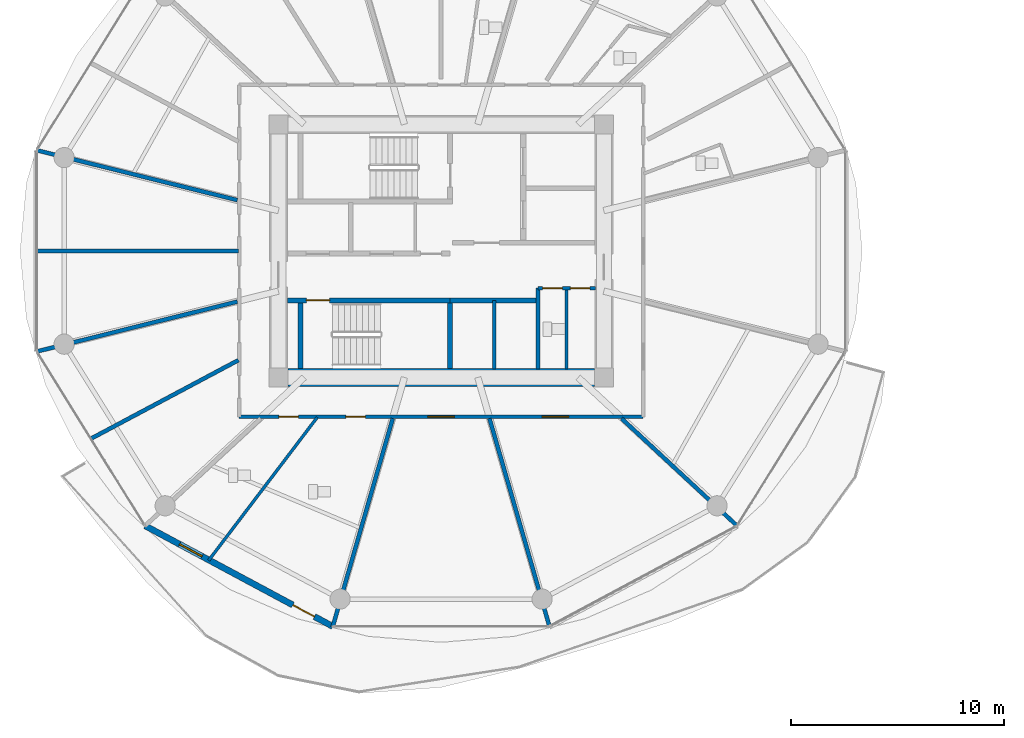
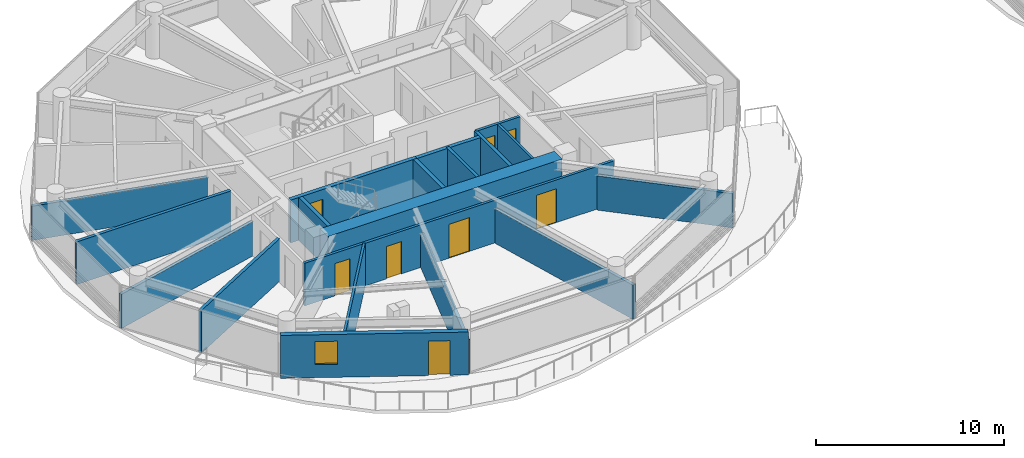
# One storey, part 15 of 27: 19 walls, 8 doors, 1 window, 9 openings.
"""IFC4 building model written with IfcOpenShell, lengths in metres."""

from ifc_helpers import new_model, si_unit, direction, frame, frame_2d, origin, place, context, subcontext, project, spatial, rectangle, extrude, source, transform, mapped, material, layer, layer_set, type_object, type_shapes, element, fill, save


model = new_model("IFC4")

# Units and contexts
model_context = context("Model", 3, precision=1e-05, world=origin(), true_north=direction((0.0, 1.0)))
body_context = subcontext(model_context, "Body", "Model", "MODEL_VIEW")
ifc_project = project(units=[si_unit("LENGTHUNIT", "METRE"), si_unit("AREAUNIT", "SQUARE_METRE"), si_unit("VOLUMEUNIT", "CUBIC_METRE"), si_unit("PLANEANGLEUNIT", "RADIAN"), si_unit("MASSUNIT", "GRAM", prefix="KILO")], contexts=[model_context])

# Site, building, storey
site_placement = place(None, origin())
site = spatial("IfcSite", under=ifc_project, at=site_placement, CompositionType="ELEMENT")
building_placement = place(site_placement, origin())
building = spatial("IfcBuilding", under=site, at=building_placement, Name="Norrkilde Senior Care Towers", CompositionType="ELEMENT")
storey_placement = place(building_placement, frame((0.0, 0.0, 52.10009765625)))
storey = spatial("IfcBuildingStorey", under=building, at=storey_placement, Name="L15", CompositionType="ELEMENT", Elevation=52.10009765625)

# Wall
ifc_material_1 = material(Name="Concrete C60/75", Category="concrete")
ifc_layer_1 = layer(ifc_material_1, 0.85009765625)
ifc_layer_set_1 = layer_set([ifc_layer_1], Name="Concrete C60/75")
wall_type_1 = type_object("IfcWallType", Name="Core Shear Wall Z1 850", PredefinedType="SHEAR", material=ifc_layer_set_1)
shared_shape_1 = source(origin(), body_context, "Body", "SweptSolid", [
    extrude(rectangle(XDim=14.39990234375, YDim=0.85009765625, at=frame_2d((7.199951171875, 0.0))), origin(), (0.0, 0.0, 1.0), 2.789794921875),
])
type_shapes(wall_type_1, [shared_shape_1])
wall_1_placement = place(storey_placement, frame((-20.800048828125, -5.949951171875, 0.0), z_axis=(0.0, 0.0, 1.0), x_axis=(-1.0, 0.0, 0.0)))
element("IfcWall", 1, at=wall_1_placement, inside=storey, type_object=wall_type_1, Name="L15 Core W South Shear Wall", PredefinedType="SHEAR", context=body_context, shape_type="MappedRepresentation", body=[
    mapped(shared_shape_1, transform((0.0, 0.0, 0.0), x_axis=(1.0, 0.0, 0.0), y_axis=(0.0, 1.0, 0.0), z_axis=(0.0, 0.0, 1.0), scale=1.0)),
])

# Wall, openings, door, window
ifc_material_2 = material(Name="Precast concrete C45/55", Category="concrete")
ifc_layer_2 = layer(ifc_material_2, 0.2900390625)
ifc_layer_set_2 = layer_set([ifc_layer_2], Name="Precast concrete C45/55")
wall_type_2 = type_object("IfcWallType", Name="Winter Garden Facade Wall 290", PredefinedType="SOLIDWALL", material=ifc_layer_set_2)
shared_shape_2 = source(origin(), body_context, "Body", "SweptSolid", [
    extrude(rectangle(XDim=10.0107421875, YDim=0.2900390625, at=frame_2d((5.00537109375, 0.0))), origin(), (0.0, 0.0, 1.0), 2.789794921875),
])
type_shapes(wall_type_2, [shared_shape_2])
wall_2_placement = place(storey_placement, frame((-33.093505859375, -17.6572265625, 0.0), z_axis=(0.0, 0.0, 1.0), x_axis=(-0.881272505317, 0.472608475773, 0.0)))
wall_2 = element("IfcWall", 2, at=wall_2_placement, inside=storey, type_object=wall_type_2, Name="L15 Drum W Balcony Access Wall 07", PredefinedType="SOLIDWALL", context=body_context, shape_type="MappedRepresentation", body=[
    mapped(shared_shape_2, transform((0.0, 0.0, 0.0), x_axis=(1.0, 0.0, 0.0), y_axis=(0.0, 1.0, 0.0), z_axis=(0.0, 0.0, 1.0), scale=1.0)),
])
opening_1_placement = place(wall_2_placement, frame((0.97998046875, 0.0, 0.0)))
opening_1 = element("IfcOpeningElement", 3, at=opening_1_placement, cuts=wall_2, Name="Opening D-09", PredefinedType="OPENING", context=body_context, shape_type="SweptSolid", body=[
    extrude(rectangle(XDim=1.14990234375, YDim=2.25, at=frame_2d((0.574951171875, 1.125))), frame((0.0, 0.155029296875, 0.0), z_axis=(0.0, -1.0, 0.0), x_axis=(1.0, 0.0, 0.0)), (0.0, 0.0, 1.0), 0.31005859375),
])
opening_2_placement = place(wall_2_placement, frame((6.975341796875, 0.0, 0.85009765625)))
opening_2 = element("IfcOpeningElement", 4, at=opening_2_placement, cuts=wall_2, Name="Opening WN-07", PredefinedType="OPENING", context=body_context, shape_type="SweptSolid", body=[
    extrude(rectangle(XDim=1.199951171875, YDim=1.5, at=frame_2d((0.60009765625, 0.75))), frame((0.0, 0.155029296875, 0.0), z_axis=(0.0, -1.0, 0.0), x_axis=(1.0, 0.0, 0.0)), (0.0, 0.0, 1.0), 0.31005859375),
])
ifc_material_3 = material(Name="Anodised Aluminium", Category="aluminium")
door_type_1 = type_object("IfcDoorType", Name="Terrace and Balcony Glazed Door 1150x2250", OperationType="NOTDEFINED", PredefinedType="DOOR", material=ifc_material_3)
shared_shape_3 = source(origin(), body_context, "Body", "SweptSolid", [
    extrude(rectangle(XDim=1.14990234375, YDim=2.25, at=frame_2d((0.574951171875, 1.125))), frame((0.0, 0.02490234375, 0.0), z_axis=(0.0, -1.0, 0.0), x_axis=(1.0, 0.0, 0.0)), (0.0, 0.0, 1.0), 0.050048828125),
])
type_shapes(door_type_1, [shared_shape_3])
door_1_placement = place(opening_1_placement, origin())
door_1 = element("IfcDoor", 5, at=door_1_placement, inside=storey, type_object=door_type_1, Name="L15 Drum W Outdoor Terrace Door 07", OperationType="SINGLE_SWING_RIGHT", OverallHeight=2.25, OverallWidth=1.14990234375, PredefinedType="DOOR", context=body_context, shape_type="MappedRepresentation", body=[
    mapped(shared_shape_3, transform((0.0, 0.0, 0.0), x_axis=(1.0, 0.0, 0.0), y_axis=(0.0, 1.0, 0.0), z_axis=(0.0, 0.0, 1.0), scale=1.0)),
])
fill(opening_1, door_1)
ifc_material_4 = material(Name="Triple Low-E Insulated Glazing", Category="glass")
window_type = type_object("IfcWindowType", Name="Stairwell Smoke Vent Window 1200x1500", PartitioningType="SINGLE_PANEL", PredefinedType="WINDOW", material=ifc_material_4)
shared_shape_4 = source(origin(), body_context, "Body", "SweptSolid", [
    extrude(rectangle(XDim=1.199951171875, YDim=1.5, at=frame_2d((0.60009765625, 0.75))), frame((0.0, 0.030029296875, 0.0), z_axis=(0.0, -1.0, 0.0), x_axis=(1.0, 0.0, 0.0)), (0.0, 0.0, 1.0), 0.06005859375),
])
type_shapes(window_type, [shared_shape_4])
window_placement = place(opening_2_placement, origin())
window = element("IfcWindow", 6, at=window_placement, inside=storey, type_object=window_type, Name="L15 Drum W Winter Garden Window 07", OverallHeight=1.5, OverallWidth=1.199951171875, PartitioningType="SINGLE_PANEL", PredefinedType="WINDOW", context=body_context, shape_type="MappedRepresentation", body=[
    mapped(shared_shape_4, transform((0.0, 0.0, 0.0), x_axis=(1.0, 0.0, 0.0), y_axis=(0.0, 1.0, 0.0), z_axis=(0.0, 0.0, 1.0), scale=1.0)),
])
fill(opening_2, window)

# Wall, opening, door
ifc_material_5 = material(Name="Concrete C45/55", Category="concrete")
ifc_layer_3 = layer(ifc_material_5, 0.239990234375)
ifc_layer_set_3 = layer_set([ifc_layer_3], Name="Concrete C45/55")
wall_type_3 = type_object("IfcWallType", Name="Shaft and Stair Enclosure Wall 240", PredefinedType="PARTITIONING", material=ifc_layer_set_3)
shared_shape_5 = source(origin(), body_context, "Body", "SweptSolid", [
    extrude(rectangle(XDim=7.76513671875, YDim=0.239990234375, at=frame_2d((3.882568359375, 0.0))), origin(), (0.0, 0.0, 1.0), 2.789794921875),
])
wall_3_placement = place(storey_placement, frame((-35.22509765625, -2.330078125, 0.0), z_axis=(0.0, 0.0, 1.0), x_axis=(1.0, 0.0, 0.0)))
wall_3 = element("IfcWall", 7, at=wall_3_placement, inside=storey, type_object=wall_type_3, Name="WL-INT-L15-W-ST2N", PredefinedType="PARTITIONING", context=body_context, shape_type="MappedRepresentation", body=[
    mapped(shared_shape_5, transform((0.0, 0.0, 0.0), x_axis=(1.0, 0.0, 0.0), y_axis=(0.0, 1.0, 0.0), z_axis=(0.0, 0.0, 1.0), scale=1.0)),
])
opening_3_placement = place(wall_3_placement, frame((0.885009765625, 0.0, 0.0)))
opening_3 = element("IfcOpeningElement", 8, at=opening_3_placement, cuts=wall_3, Name="Opening D-03", PredefinedType="OPENING", context=body_context, shape_type="SweptSolid", body=[
    extrude(rectangle(XDim=1.10009765625, YDim=2.14990234375, at=frame_2d((0.550048828125, 1.074951171875))), frame((0.0, 0.1298828125, 0.0), z_axis=(0.0, -1.0, 0.0), x_axis=(1.0, 0.0, 0.0)), (0.0, 0.0, 1.0), 0.260009765625),
])
ifc_material_6 = material(Name="Galvanised Painted Steel", Category="steel")
door_type_2 = type_object("IfcDoorType", Name="Stairwell Protected Fire Door 1100x2150", OperationType="NOTDEFINED", PredefinedType="DOOR", material=ifc_material_6)
shared_shape_6 = source(origin(), body_context, "Body", "SweptSolid", [
    extrude(rectangle(XDim=1.10009765625, YDim=2.14990234375, at=frame_2d((0.550048828125, 1.074951171875))), frame((0.0, 0.02490234375, 0.0), z_axis=(0.0, -1.0, 0.0), x_axis=(1.0, 0.0, 0.0)), (0.0, 0.0, 1.0), 0.050048828125),
])
type_shapes(door_type_2, [shared_shape_6])
door_2_placement = place(opening_3_placement, frame((1.10009765625, 0.0, 0.0), z_axis=(0.0, 0.0, 1.0), x_axis=(-1.0, 0.0, 0.0)))
door_2 = element("IfcDoor", 9, at=door_2_placement, inside=storey, type_object=door_type_2, Name="L15 Stair W2 Fire Door", OperationType="SINGLE_SWING_RIGHT", OverallHeight=2.14990234375, OverallWidth=1.10009765625, PredefinedType="DOOR", context=body_context, shape_type="MappedRepresentation", body=[
    mapped(shared_shape_6, transform((0.0, 0.0, 0.0), x_axis=(1.0, 0.0, 0.0), y_axis=(0.0, 1.0, 0.0), z_axis=(0.0, 0.0, 1.0), scale=1.0)),
])
fill(opening_3, door_2)

# Walls
shared_shape_7 = source(origin(), body_context, "Body", "SweptSolid", [
    extrude(rectangle(XDim=3.074951171875, YDim=0.239990234375, at=frame_2d((1.53759765625, 0.0))), origin(), (0.0, 0.0, 1.0), 2.789794921875),
])
type_shapes(wall_type_3, [shared_shape_5, shared_shape_7])
for number, where, z_axis, x_axis, name in (
    (10, (-34.6201171875, -5.52490234375, 0.0), (0.0, 0.0, 1.0), (0.0, 1.0, 0.0), "WL-INT-L15-W-ST2W"),
    (11, (-27.580078125, -5.52490234375, 0.0), (0.0, 0.0, 1.0), (0.0, 1.0, 0.0), "WL-INT-L15-W-ST2E"),
):
    element("IfcWall", number, at=place(storey_placement, frame(where, z_axis=z_axis, x_axis=x_axis)), inside=storey, type_object=wall_type_3, Name=name, PredefinedType="PARTITIONING", context=body_context, shape_type="MappedRepresentation", body=[
        mapped(shared_shape_7, transform((0.0, 0.0, 0.0), x_axis=(1.0, 0.0, 0.0), y_axis=(0.0, 1.0, 0.0), z_axis=(0.0, 0.0, 1.0), scale=1.0)),
    ])
ifc_layer_4 = layer(ifc_material_5, 0.199951171875)
ifc_layer_set_4 = layer_set([ifc_layer_4], Name="Concrete C45/55")
wall_type_4 = type_object("IfcWallType", Name="Shaft Division and Plant Partition 200", PredefinedType="PARTITIONING", material=ifc_layer_set_4)
shared_shape_8 = source(origin(), body_context, "Body", "SweptSolid", [
    extrude(rectangle(XDim=3.800048828125, YDim=0.199951171875, at=frame_2d((1.89990234375, 0.0))), origin(), (0.0, 0.0, 1.0), 2.77490234375),
])
type_shapes(wall_type_4, [shared_shape_8])
wall_4_placement = place(storey_placement, frame((-23.449951171875, -5.550048828125, 0.0), z_axis=(0.0, 0.0, 1.0), x_axis=(0.0, 1.0, 0.0)))
element("IfcWall", 12, at=wall_4_placement, inside=storey, type_object=wall_type_4, Name="WL-INT-L15-W-PKBE", PredefinedType="PARTITIONING", context=body_context, shape_type="MappedRepresentation", body=[
    mapped(shared_shape_8, transform((0.0, 0.0, 0.0), x_axis=(1.0, 0.0, 0.0), y_axis=(0.0, 1.0, 0.0), z_axis=(0.0, 0.0, 1.0), scale=1.0)),
])
ifc_layer_5 = layer(ifc_material_5, 0.239990234375)
ifc_layer_set_5 = layer_set([ifc_layer_5], Name="Concrete C45/55")
wall_type_5 = type_object("IfcWallType", Name="Lift and Plant Rated Enclosure Partition 240", PredefinedType="PARTITIONING", material=ifc_layer_set_5)
shared_shape_9 = source(origin(), body_context, "Body", "SweptSolid", [
    extrude(rectangle(XDim=4.130126953125, YDim=0.239990234375, at=frame_2d((2.06494140625, 0.0))), origin(), (0.0, 0.0, 1.0), 2.77490234375),
])
type_shapes(wall_type_5, [shared_shape_9])
wall_5_placement = place(storey_placement, frame((-27.580078125, -2.330078125, 0.0), z_axis=(0.0, 0.0, 1.0), x_axis=(1.0, 0.0, 0.0)))
element("IfcWall", 13, at=wall_5_placement, inside=storey, type_object=wall_type_5, Name="WL-INT-L15-W-PKBN", PredefinedType="PARTITIONING", context=body_context, shape_type="MappedRepresentation", body=[
    mapped(shared_shape_9, transform((0.0, 0.0, 0.0), x_axis=(1.0, 0.0, 0.0), y_axis=(0.0, 1.0, 0.0), z_axis=(0.0, 0.0, 1.0), scale=1.0)),
])
ifc_layer_6 = layer(ifc_material_5, 0.179931640625)
ifc_layer_set_6 = layer_set([ifc_layer_6], Name="Concrete C45/55")
wall_type_6 = type_object("IfcWallType", Name="Hoistway Division Rated Partition 180", PredefinedType="PARTITIONING", material=ifc_layer_set_6)
shared_shape_10 = source(origin(), body_context, "Body", "SweptSolid", [
    extrude(rectangle(XDim=3.219970703125, YDim=0.179931640625, at=frame_2d((1.60986328125, 0.0))), origin(), (0.0, 0.0, 1.0), 2.77490234375),
])
type_shapes(wall_type_6, [shared_shape_10])
wall_6_placement = place(storey_placement, frame((-25.5, -5.550048828125, 0.0), z_axis=(0.0, 0.0, 1.0), x_axis=(0.0, 1.0, 0.0)))
element("IfcWall", 14, at=wall_6_placement, inside=storey, type_object=wall_type_6, Name="WL-INT-L15-W-PL34", PredefinedType="PARTITIONING", context=body_context, shape_type="MappedRepresentation", body=[
    mapped(shared_shape_10, transform((0.0, 0.0, 0.0), x_axis=(1.0, 0.0, 0.0), y_axis=(0.0, 1.0, 0.0), z_axis=(0.0, 0.0, 1.0), scale=1.0)),
])

# Wall, openings, doors
ifc_material_7 = material(Name="Gypsum Acoustic Board")
ifc_layer_7 = layer(ifc_material_7, 0.1650390625)
ifc_layer_set_7 = layer_set([ifc_layer_7], Name="Gypsum Acoustic Board")
wall_type_7 = type_object("IfcWallType", Name="Corridor Rated Partition 165", PredefinedType="PARTITIONING", material=ifc_layer_set_7)
shared_shape_11 = source(origin(), body_context, "Body", "SweptSolid", [
    extrude(rectangle(XDim=2.699951171875, YDim=0.1650390625, at=frame_2d((1.35009765625, 0.0))), origin(), (0.0, 0.0, 1.0), 2.77490234375),
])
wall_7_placement = place(storey_placement, frame((-23.449951171875, -1.75, 0.0), z_axis=(0.0, 0.0, 1.0), x_axis=(1.0, 0.0, 0.0)))
wall_7 = element("IfcWall", 15, at=wall_7_placement, inside=storey, type_object=wall_type_7, Name="WL-INT-L15-W-CSN", PredefinedType="PARTITIONING", context=body_context, shape_type="MappedRepresentation", body=[
    mapped(shared_shape_11, transform((0.0, 0.0, 0.0), x_axis=(1.0, 0.0, 0.0), y_axis=(0.0, 1.0, 0.0), z_axis=(0.0, 0.0, 1.0), scale=1.0)),
])
opening_4_placement = place(wall_7_placement, frame((0.222412109375, 0.0, 0.0)))
opening_4 = element("IfcOpeningElement", 16, at=opening_4_placement, cuts=wall_7, Name="Opening D-12", PredefinedType="OPENING", context=body_context, shape_type="SweptSolid", body=[
    extrude(rectangle(XDim=0.925048828125, YDim=2.10009765625, at=frame_2d((0.46240234375, 1.050048828125))), frame((0.0, 0.092529296875, 0.0), z_axis=(0.0, -1.0, 0.0), x_axis=(1.0, 0.0, 0.0)), (0.0, 0.0, 1.0), 0.18505859375),
])
opening_5_placement = place(wall_7_placement, frame((1.5224609375, 0.0, 0.0)))
opening_5 = element("IfcOpeningElement", 17, at=opening_5_placement, cuts=wall_7, Name="Opening D-12", PredefinedType="OPENING", context=body_context, shape_type="SweptSolid", body=[
    extrude(rectangle(XDim=0.925048828125, YDim=2.10009765625, at=frame_2d((0.46240234375, 1.050048828125))), frame((0.0, 0.092529296875, 0.0), z_axis=(0.0, -1.0, 0.0), x_axis=(1.0, 0.0, 0.0)), (0.0, 0.0, 1.0), 0.18505859375),
])
door_type_3 = type_object("IfcDoorType", Name="Core Wet Room Rated Door 925x2100", OperationType="NOTDEFINED", PredefinedType="DOOR", material=ifc_material_6)
shared_shape_12 = source(origin(), body_context, "Body", "SweptSolid", [
    extrude(rectangle(XDim=0.925048828125, YDim=2.10009765625, at=frame_2d((0.46240234375, 1.050048828125))), frame((0.0, 0.02490234375, 0.0), z_axis=(0.0, -1.0, 0.0), x_axis=(1.0, 0.0, 0.0)), (0.0, 0.0, 1.0), 0.050048828125),
])
type_shapes(door_type_3, [shared_shape_12])
door_3_placement = place(opening_4_placement, origin())
door_3 = element("IfcDoor", 18, at=door_3_placement, inside=storey, type_object=door_type_3, Name="L15 Staff Accessible WC W Door", OperationType="SINGLE_SWING_LEFT", OverallHeight=2.10009765625, OverallWidth=0.925048828125, PredefinedType="DOOR", context=body_context, shape_type="MappedRepresentation", body=[
    mapped(shared_shape_12, transform((0.0, 0.0, 0.0), x_axis=(1.0, 0.0, 0.0), y_axis=(0.0, 1.0, 0.0), z_axis=(0.0, 0.0, 1.0), scale=1.0)),
])
fill(opening_4, door_3)
door_4_placement = place(opening_5_placement, origin())
door_4 = element("IfcDoor", 19, at=door_4_placement, inside=storey, type_object=door_type_3, Name="L15 Housekeeping Store W Door", OperationType="SINGLE_SWING_RIGHT", OverallHeight=2.10009765625, OverallWidth=0.925048828125, PredefinedType="DOOR", context=body_context, shape_type="MappedRepresentation", body=[
    mapped(shared_shape_12, transform((0.0, 0.0, 0.0), x_axis=(1.0, 0.0, 0.0), y_axis=(0.0, 1.0, 0.0), z_axis=(0.0, 0.0, 1.0), scale=1.0)),
])
fill(opening_5, door_4)

shared_shape_13 = source(origin(), body_context, "Body", "SweptSolid", [
    extrude(rectangle(XDim=19.0, YDim=0.1650390625, at=frame_2d((9.5, 0.0))), origin(), (0.0, 0.0, 1.0), 2.77490234375),
])
type_shapes(wall_type_7, [shared_shape_11, shared_shape_13])
wall_8_placement = place(storey_placement, frame((-18.5, -7.800048828125, 0.0), z_axis=(0.0, 0.0, 1.0), x_axis=(-1.0, 0.0, 0.0)))
wall_8 = element("IfcWall", 20, at=wall_8_placement, inside=storey, type_object=wall_type_7, Name="WL-INT-L15-W-CRW-S-0", PredefinedType="PARTITIONING", context=body_context, shape_type="MappedRepresentation", body=[
    mapped(shared_shape_13, transform((0.0, 0.0, 0.0), x_axis=(1.0, 0.0, 0.0), y_axis=(0.0, 1.0, 0.0), z_axis=(0.0, 0.0, 1.0), scale=1.0)),
])
opening_6_placement = place(wall_8_placement, frame((16.213623046875, 0.0, 0.0)))
opening_6 = element("IfcOpeningElement", 21, at=opening_6_placement, cuts=wall_8, Name="Opening D-08", PredefinedType="OPENING", context=body_context, shape_type="SweptSolid", body=[
    extrude(rectangle(XDim=0.919921875, YDim=2.10009765625, at=frame_2d((0.4599609375, 1.050048828125))), frame((0.0, 0.092529296875, 0.0), z_axis=(0.0, -1.0, 0.0), x_axis=(1.0, 0.0, 0.0)), (0.0, 0.0, 1.0), 0.18505859375),
])
opening_7_placement = place(wall_8_placement, frame((13.062744140625, 0.0, 0.0)))
opening_7 = element("IfcOpeningElement", 22, at=opening_7_placement, cuts=wall_8, Name="Opening D-08", PredefinedType="OPENING", context=body_context, shape_type="SweptSolid", body=[
    extrude(rectangle(XDim=0.919921875, YDim=2.10009765625, at=frame_2d((0.4599609375, 1.050048828125))), frame((0.0, 0.092529296875, 0.0), z_axis=(0.0, -1.0, 0.0), x_axis=(1.0, 0.0, 0.0)), (0.0, 0.0, 1.0), 0.18505859375),
])
opening_8_placement = place(wall_8_placement, frame((8.875, 0.0, 0.0)))
opening_8 = element("IfcOpeningElement", 23, at=opening_8_placement, cuts=wall_8, Name="Opening D-05", PredefinedType="OPENING", context=body_context, shape_type="SweptSolid", body=[
    extrude(rectangle(XDim=1.25, YDim=2.199951171875, at=frame_2d((0.625, 1.10009765625))), frame((0.0, 0.092529296875, 0.0), z_axis=(0.0, -1.0, 0.0), x_axis=(1.0, 0.0, 0.0)), (0.0, 0.0, 1.0), 0.18505859375),
])
opening_9_placement = place(wall_8_placement, frame((3.505615234375, 0.0, 0.0)))
opening_9 = element("IfcOpeningElement", 24, at=opening_9_placement, cuts=wall_8, Name="Opening D-05", PredefinedType="OPENING", context=body_context, shape_type="SweptSolid", body=[
    extrude(rectangle(XDim=1.25, YDim=2.199951171875, at=frame_2d((0.625, 1.10009765625))), frame((0.0, 0.092529296875, 0.0), z_axis=(0.0, -1.0, 0.0), x_axis=(1.0, 0.0, 0.0)), (0.0, 0.0, 1.0), 0.18505859375),
])
ifc_material_8 = material(Name="Nordic Ash Timber", Category="wood")
door_type_4 = type_object("IfcDoorType", Name="Care Bedroom Bariatric Door 1250x2200", OperationType="NOTDEFINED", PredefinedType="DOOR", material=ifc_material_8)
shared_shape_14 = source(origin(), body_context, "Body", "SweptSolid", [
    extrude(rectangle(XDim=1.25, YDim=2.199951171875, at=frame_2d((0.625, 1.10009765625))), frame((0.0, 0.02490234375, 0.0), z_axis=(0.0, -1.0, 0.0), x_axis=(1.0, 0.0, 0.0)), (0.0, 0.0, 1.0), 0.050048828125),
])
type_shapes(door_type_4, [shared_shape_14])
door_5_placement = place(opening_8_placement, frame((1.25, 0.0, 0.0), z_axis=(0.0, 0.0, 1.0), x_axis=(-1.0, 0.0, 0.0)))
door_5 = element("IfcDoor", 25, at=door_5_placement, inside=storey, type_object=door_type_4, Name="L15 Household Communal Dining Salon Door", OperationType="SINGLE_SWING_LEFT", OverallHeight=2.199951171875, OverallWidth=1.25, PredefinedType="DOOR", context=body_context, shape_type="MappedRepresentation", body=[
    mapped(shared_shape_14, transform((0.0, 0.0, 0.0), x_axis=(1.0, 0.0, 0.0), y_axis=(0.0, 1.0, 0.0), z_axis=(0.0, 0.0, 1.0), scale=1.0)),
])
fill(opening_8, door_5)
door_6_placement = place(opening_9_placement, frame((1.25, 0.0, 0.0), z_axis=(0.0, 0.0, 1.0), x_axis=(-1.0, 0.0, 0.0)))
door_6 = element("IfcDoor", 26, at=door_6_placement, inside=storey, type_object=door_type_4, Name="L15 Care Coordination Charting Office Door", OperationType="SINGLE_SWING_RIGHT", OverallHeight=2.199951171875, OverallWidth=1.25, PredefinedType="DOOR", context=body_context, shape_type="MappedRepresentation", body=[
    mapped(shared_shape_14, transform((0.0, 0.0, 0.0), x_axis=(1.0, 0.0, 0.0), y_axis=(0.0, 1.0, 0.0), z_axis=(0.0, 0.0, 1.0), scale=1.0)),
])
fill(opening_9, door_6)
door_type_5 = type_object("IfcDoorType", Name="Accessible Wet Room Door 920x2100", OperationType="NOTDEFINED", PredefinedType="DOOR", material=ifc_material_8)
shared_shape_15 = source(origin(), body_context, "Body", "SweptSolid", [
    extrude(rectangle(XDim=0.919921875, YDim=2.10009765625, at=frame_2d((0.4599609375, 1.050048828125))), frame((0.0, 0.02490234375, 0.0), z_axis=(0.0, -1.0, 0.0), x_axis=(1.0, 0.0, 0.0)), (0.0, 0.0, 1.0), 0.050048828125),
])
type_shapes(door_type_5, [shared_shape_15])
door_7_placement = place(opening_6_placement, frame((0.919921875, 0.0, 0.0), z_axis=(0.0, 0.0, 1.0), x_axis=(-1.0, 0.0, 0.0)))
door_7 = element("IfcDoor", 27, at=door_7_placement, inside=storey, type_object=door_type_5, Name="L15 Accessible Restroom Door", OperationType="SINGLE_SWING_RIGHT", OverallHeight=2.10009765625, OverallWidth=0.919921875, PredefinedType="DOOR", context=body_context, shape_type="MappedRepresentation", body=[
    mapped(shared_shape_15, transform((0.0, 0.0, 0.0), x_axis=(1.0, 0.0, 0.0), y_axis=(0.0, 1.0, 0.0), z_axis=(0.0, 0.0, 1.0), scale=1.0)),
])
fill(opening_6, door_7)
door_8_placement = place(opening_7_placement, frame((0.919921875, 0.0, 0.0), z_axis=(0.0, 0.0, 1.0), x_axis=(-1.0, 0.0, 0.0)))
door_8 = element("IfcDoor", 28, at=door_8_placement, inside=storey, type_object=door_type_5, Name="L15 Public Restroom Door", OperationType="SINGLE_SWING_LEFT", OverallHeight=2.10009765625, OverallWidth=0.919921875, PredefinedType="DOOR", context=body_context, shape_type="MappedRepresentation", body=[
    mapped(shared_shape_15, transform((0.0, 0.0, 0.0), x_axis=(1.0, 0.0, 0.0), y_axis=(0.0, 1.0, 0.0), z_axis=(0.0, 0.0, 1.0), scale=1.0)),
])
fill(opening_7, door_8)

# Walls
ifc_layer_8 = layer(ifc_material_7, 0.18994140625)
ifc_layer_set_8 = layer_set([ifc_layer_8], Name="Gypsum Acoustic Board")
wall_type_8 = type_object("IfcWallType", Name="Unit Demising Acoustic Wall 190", PredefinedType="PARTITIONING", material=ifc_layer_set_8)
shared_shape_16 = source(origin(), body_context, "Body", "SweptSolid", [
    extrude(rectangle(XDim=7.4345703125, YDim=0.18994140625, at=frame_2d((3.71728515625, 0.0))), origin(), (0.0, 0.0, 1.0), 2.224853515625),
])
wall_9_placement = place(storey_placement, frame((-19.51708984375, -7.8798828125, 0.0), z_axis=(0.0, 0.0, 1.0), x_axis=(0.732651956848, -0.680603489652, 0.0)))
element("IfcWall", 29, at=wall_9_placement, inside=storey, type_object=wall_type_8, Name="WL-INT-L15-W-DEM-10-0", PredefinedType="PARTITIONING", context=body_context, shape_type="MappedRepresentation", body=[
    mapped(shared_shape_16, transform((0.0, 0.0, 0.0), x_axis=(1.0, 0.0, 0.0), y_axis=(0.0, 1.0, 0.0), z_axis=(0.0, 0.0, 1.0), scale=1.0)),
])
shared_shape_17 = source(origin(), body_context, "Body", "SweptSolid", [
    extrude(rectangle(XDim=10.196044921875, YDim=0.18994140625, at=frame_2d((5.09814453125, 0.0))), origin(), (0.0, 0.0, 1.0), 2.224853515625),
])
for number, where, z_axis, x_axis, name in (
    (30, (-30.27294921875, -7.8798828125, 0.0), (0.0, 0.0, 1.0), (-0.277136420347, -0.960830580549, 0.0), "WL-INT-L15-W-DEM-08-0"),
    (31, (-25.72705078125, -7.8798828125, 0.0), (0.0, 0.0, 1.0), (0.277136420347, -0.960830580549, 0.0), "WL-INT-L15-W-DEM-09-0"),
):
    element("IfcWall", number, at=place(storey_placement, frame(where, z_axis=z_axis, x_axis=x_axis)), inside=storey, type_object=wall_type_8, Name=name, PredefinedType="PARTITIONING", context=body_context, shape_type="MappedRepresentation", body=[
        mapped(shared_shape_17, transform((0.0, 0.0, 0.0), x_axis=(1.0, 0.0, 0.0), y_axis=(0.0, 1.0, 0.0), z_axis=(0.0, 0.0, 1.0), scale=1.0)),
    ])
shared_shape_18 = source(origin(), body_context, "Body", "SweptSolid", [
    extrude(rectangle(XDim=9.737060546875, YDim=0.18994140625, at=frame_2d((4.86865234375, 0.0))), origin(), (0.0, 0.0, 1.0), 2.224853515625),
])
for number, where, z_axis, x_axis, name in (
    (32, (-37.580078125, 2.384521484375, 0.0), (0.0, 0.0, 1.0), (-0.970392716238, 0.241532557375, 0.0), "WL-INT-L15-W-DEM-05-0"),
    (33, (-37.580078125, -2.384521484375, 0.0), (0.0, 0.0, 1.0), (-0.970392716238, -0.241532557375, 0.0), "WL-INT-L15-W-DEM-06-0"),
):
    element("IfcWall", number, at=place(storey_placement, frame(where, z_axis=z_axis, x_axis=x_axis)), inside=storey, type_object=wall_type_8, Name=name, PredefinedType="PARTITIONING", context=body_context, shape_type="MappedRepresentation", body=[
        mapped(shared_shape_18, transform((0.0, 0.0, 0.0), x_axis=(1.0, 0.0, 0.0), y_axis=(0.0, 1.0, 0.0), z_axis=(0.0, 0.0, 1.0), scale=1.0)),
    ])
ifc_layer_9 = layer(ifc_material_7, 0.139892578125)
ifc_layer_set_9 = layer_set([ifc_layer_9], Name="Gypsum Acoustic Board")
wall_type_9 = type_object("IfcWallType", Name="En-suite Wet Room Wall 140", PredefinedType="PARTITIONING", material=ifc_layer_set_9)
shared_shape_19 = source(origin(), body_context, "Body", "SweptSolid", [
    extrude(rectangle(XDim=3.800048828125, YDim=0.139892578125, at=frame_2d((1.89990234375, 0.0))), origin(), (0.0, 0.0, 1.0), 2.77490234375),
])
wall_10_placement = place(storey_placement, frame((-22.10009765625, -5.550048828125, 0.0), z_axis=(0.0, 0.0, 1.0), x_axis=(0.0, 1.0, 0.0)))
element("IfcWall", 34, at=wall_10_placement, inside=storey, type_object=wall_type_9, Name="WL-INT-L15-W-CS1V", PredefinedType="PARTITIONING", context=body_context, shape_type="MappedRepresentation", body=[
    mapped(shared_shape_19, transform((0.0, 0.0, 0.0), x_axis=(1.0, 0.0, 0.0), y_axis=(0.0, 1.0, 0.0), z_axis=(0.0, 0.0, 1.0), scale=1.0)),
])
shared_shape_20 = source(origin(), body_context, "Body", "SweptSolid", [
    extrude(rectangle(XDim=7.873291015625, YDim=0.18994140625, at=frame_2d((3.9365234375, 0.0))), origin(), (0.0, 0.0, 1.0), 2.77490234375),
])
wall_11_placement = place(storey_placement, frame((-37.530029296875, -5.1376953125, 0.0), z_axis=(0.0, 0.0, 1.0), x_axis=(-0.882666052726, -0.470000680175, 0.0)))
element("IfcWall", 35, at=wall_11_placement, inside=storey, type_object=wall_type_8, Name="WL-INT-L15-W-MID-06", PredefinedType="PARTITIONING", context=body_context, shape_type="MappedRepresentation", body=[
    mapped(shared_shape_20, transform((0.0, 0.0, 0.0), x_axis=(1.0, 0.0, 0.0), y_axis=(0.0, 1.0, 0.0), z_axis=(0.0, 0.0, 1.0), scale=1.0)),
])
shared_shape_21 = source(origin(), body_context, "Body", "SweptSolid", [
    extrude(rectangle(XDim=9.498779296875, YDim=0.18994140625, at=frame_2d((4.74951171875, 0.0))), origin(), (0.0, 0.0, 1.0), 2.77490234375),
])
type_shapes(wall_type_8, [shared_shape_16, shared_shape_17, shared_shape_18, shared_shape_20, shared_shape_21])
wall_12_placement = place(storey_placement, frame((-37.530029296875, 0.0, 0.0), z_axis=(0.0, 0.0, 1.0), x_axis=(-1.0, 0.0, 0.0)))
element("IfcWall", 36, at=wall_12_placement, inside=storey, type_object=wall_type_8, Name="WL-INT-L15-W-MID-05", PredefinedType="PARTITIONING", context=body_context, shape_type="MappedRepresentation", body=[
    mapped(shared_shape_21, transform((0.0, 0.0, 0.0), x_axis=(1.0, 0.0, 0.0), y_axis=(0.0, 1.0, 0.0), z_axis=(0.0, 0.0, 1.0), scale=1.0)),
])
shared_shape_22 = source(origin(), body_context, "Body", "SweptSolid", [
    extrude(rectangle(XDim=8.436279296875, YDim=0.139892578125, at=frame_2d((4.21826171875, 0.0))), origin(), (0.0, 0.0, 1.0), 2.77490234375),
])
type_shapes(wall_type_9, [shared_shape_19, shared_shape_22])
wall_13_placement = place(storey_placement, frame((-33.827880859375, -7.830078125, 0.0), z_axis=(0.0, 0.0, 1.0), x_axis=(-0.604486552388, -0.796615345058, 0.0)))
element("IfcWall", 37, at=wall_13_placement, inside=storey, type_object=wall_type_9, Name="WL-INT-L15-W-MID-07", PredefinedType="PARTITIONING", context=body_context, shape_type="MappedRepresentation", body=[
    mapped(shared_shape_22, transform((0.0, 0.0, 0.0), x_axis=(1.0, 0.0, 0.0), y_axis=(0.0, 1.0, 0.0), z_axis=(0.0, 0.0, 1.0), scale=1.0)),
])

save(model, "model.ifc")
